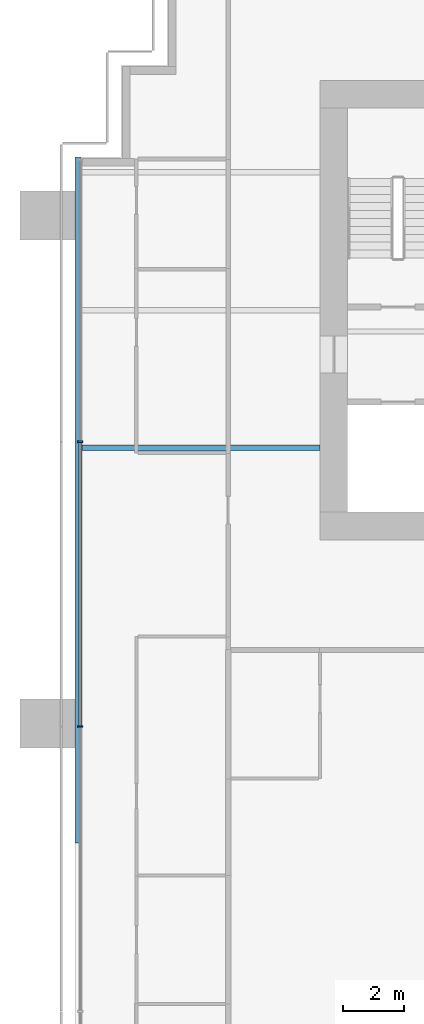
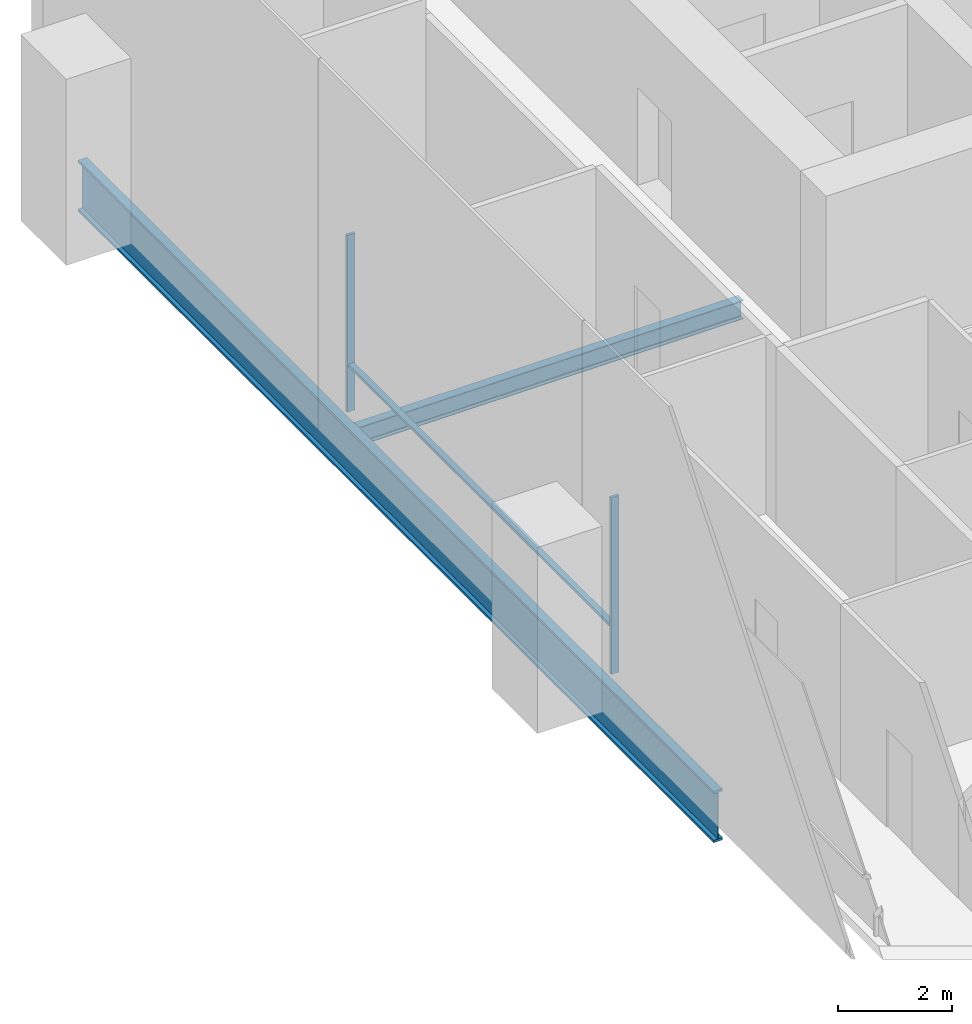
# One storey, part 4 of 19: 3 members, 2 beams, 1 element without a shape of its own.
"""IFC4 building model written with IfcOpenShell, lengths in metres."""

from ifc_helpers import new_model, si_unit, direction, frame, origin, origin_2d, place, context, subcontext, project, spatial, rectangle, i_section, extrude, material, material_profile, profile_set, type_object, element, aggregate, save


model = new_model("IFC4")

# Units and contexts
model_context = context("Model", 3, precision=1e-05, world=origin(), true_north=direction((0.0, 1.0)))
body_context = subcontext(model_context, "Body", "Model", "MODEL_VIEW")
ifc_project = project(units=[si_unit("LENGTHUNIT", "METRE"), si_unit("AREAUNIT", "SQUARE_METRE"), si_unit("VOLUMEUNIT", "CUBIC_METRE"), si_unit("PLANEANGLEUNIT", "RADIAN"), si_unit("MASSUNIT", "GRAM", prefix="KILO")], contexts=[model_context])

# Site, building, storey
site_placement = place(None, origin())
site = spatial("IfcSite", under=ifc_project, at=site_placement, CompositionType="ELEMENT")
building_placement = place(site_placement, origin())
building = spatial("IfcBuilding", under=site, at=building_placement, Name="Rattan Terrace Tower", CompositionType="ELEMENT")
storey_placement = place(building_placement, frame((0.0, 0.0, 79.699951171875)))
storey = spatial("IfcBuildingStorey", under=building, at=storey_placement, Name="L17", CompositionType="ELEMENT", Elevation=79.699951171875)

# Curtain wall, members
ifc_material_1 = material(Name="Aluminium and glass", Category="aluminium")
curtain_wall_type = type_object("IfcCurtainWallType", Name="Facade Unitised Curtain Wall", PredefinedType="NOTDEFINED", material=ifc_material_1)
curtain_wall_placement = place(storey_placement, origin())
curtain_wall = element("IfcCurtainWall", 1, at=curtain_wall_placement, inside=storey, type_object=curtain_wall_type, Name="Curtain wall L17-3", PredefinedType="NOTDEFINED")
ifc_material_2 = material(Name="Aluminium", Category="aluminium")
ifc_material_profile_1 = material_profile(ifc_material_2, rectangle(XDim=0.06005859375, YDim=0.159912109375, at=origin_2d()), Name="Aluminium 60x160")
ifc_profile_set_1 = profile_set([ifc_material_profile_1], Name="Aluminium")
member_type_1 = type_object("IfcMemberType", Name="Facade CW Mullion 60x160", PredefinedType="MULLION", material=ifc_profile_set_1)
member_1_placement = place(storey_placement, frame((-25.830078125, -4.300048828125, 0.0), z_axis=(0.0, 0.0, 1.0), x_axis=(0.0, -1.0, 0.0)))
member_1 = element("IfcMember", 2, at=member_1_placement, type_object=member_type_1, Name="Mullion cwl-L17-003.2", PredefinedType="MULLION", context=body_context, shape_type="SweptSolid", body=[
    extrude(rectangle(XDim=0.06005859375, YDim=0.159912109375, at=origin_2d()), origin(), (0.0, 0.0, 1.0), 3.800048828125),
])
member_2_placement = place(storey_placement, frame((-25.830078125, -13.60009765625, 0.0), z_axis=(0.0, 0.0, 1.0), x_axis=(0.0, -1.0, 0.0)))
member_2 = element("IfcMember", 3, at=member_2_placement, type_object=member_type_1, Name="Mullion cwl-L17-003.3", PredefinedType="MULLION", context=body_context, shape_type="SweptSolid", body=[
    extrude(rectangle(XDim=0.06005859375, YDim=0.159912109375, at=origin_2d()), origin(), (0.0, 0.0, 1.0), 3.800048828125),
])
ifc_material_3 = material(Name="Aluminium", Category="aluminium")
ifc_material_profile_2 = material_profile(ifc_material_3, rectangle(XDim=0.1201171875, YDim=0.06005859375, at=origin_2d()), Name="Aluminium 120x60")
ifc_profile_set_2 = profile_set([ifc_material_profile_2], Name="Aluminium")
member_type_2 = type_object("IfcMemberType", Name="Facade CW Transom 120x60", PredefinedType="USERDEFINED", material=ifc_profile_set_2)
member_3_placement = place(storey_placement, frame((-25.830078125, -4.330078125, 1.0), z_axis=(0.0, -1.0, 0.0), x_axis=(1.0, 0.0, 0.0)))
member_3 = element("IfcMember", 4, at=member_3_placement, type_object=member_type_2, Name="Transom cwl-L17-003.2", ObjectType="TRANSOM", PredefinedType="USERDEFINED", context=body_context, shape_type="SweptSolid", body=[
    extrude(rectangle(XDim=0.1201171875, YDim=0.06005859375, at=origin_2d()), origin(), (0.0, 0.0, 1.0), 9.239990234375),
])
aggregate(curtain_wall, [member_1, member_2, member_3])

# Beams
ifc_material_4 = material(Name="Steel S460", Category="steel")
ifc_material_profile_3 = material_profile(ifc_material_4, i_section(OverallWidth=0.179931640625, OverallDepth=1.10009765625, WebThickness=0.01611328125, FlangeThickness=0.050048828125, at=origin_2d()), Name="PG 1100x180-16-50")
ifc_profile_set_3 = profile_set([ifc_material_profile_3], Name="Steel S460")
beam_type_1 = type_object("IfcBeamType", Name="Frame edge girder PG 1100x180-16-50", PredefinedType="SPANDREL", material=ifc_profile_set_3)
beam_1_placement = place(storey_placement, frame((-25.909912109375, -17.39990234375, -0.75), z_axis=(0.0, 1.0, 0.0), x_axis=(-1.0, 0.0, 0.0)))
element("IfcBeam", 5, at=beam_1_placement, inside=storey, type_object=beam_type_1, Name="gdr-L17-004", PredefinedType="SPANDREL", context=body_context, shape_type="SweptSolid", body=[
    extrude(i_section(OverallWidth=0.179931640625, OverallDepth=1.10009765625, WebThickness=0.01611328125, FlangeThickness=0.050048828125, at=origin_2d()), origin(), (0.0, 0.0, 1.0), 22.39990234375),
])
ifc_material_5 = material(Name="Steel S355", Category="steel")
ifc_material_profile_4 = material_profile(ifc_material_5, i_section(OverallWidth=0.179931640625, OverallDepth=0.39990234375, WebThickness=0.008544921875, FlangeThickness=0.013427734375, FilletRadius=0.02099609375, at=origin_2d()), Name="IPE 400")
ifc_profile_set_4 = profile_set([ifc_material_profile_4], Name="Steel S355")
beam_type_2 = type_object("IfcBeamType", Name="Frame floor beam IPE 400", PredefinedType="JOIST", material=ifc_profile_set_4)
beam_2_placement = place(storey_placement, frame((-25.820068359375, -4.5, -0.39990234375), z_axis=(1.0, 0.0, 0.0), x_axis=(0.0, 1.0, 0.0)))
element("IfcBeam", 6, at=beam_2_placement, inside=storey, type_object=beam_type_2, Name="bm-L17-012", PredefinedType="JOIST", context=body_context, shape_type="SweptSolid", body=[
    extrude(i_section(OverallWidth=0.179931640625, OverallDepth=0.39990234375, WebThickness=0.008544921875, FlangeThickness=0.013427734375, FilletRadius=0.02099609375, at=origin_2d()), origin(), (0.0, 0.0, 1.0), 7.820068359375),
])

save(model, "model.ifc")
